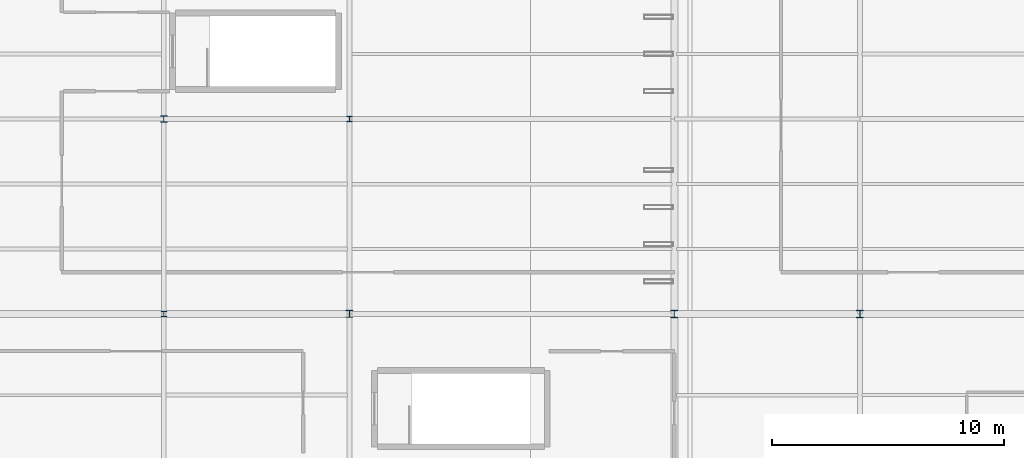
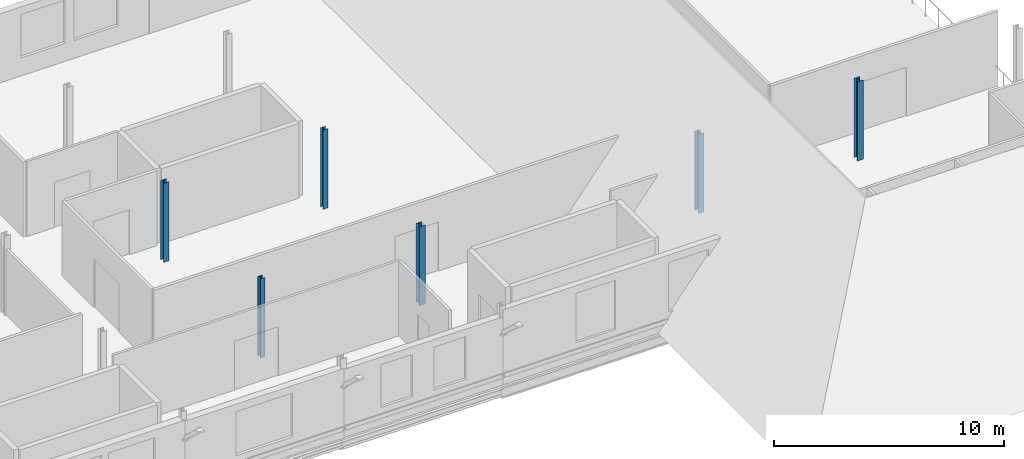
# One storey, part 3 of 93: 6 columns.
"""IFC4 building model written with IfcOpenShell, lengths in metres."""

from ifc_helpers import new_model, si_unit, direction, frame, origin, origin_2d, place, context, subcontext, project, spatial, i_section, extrude, material, material_profile, profile_set, type_object, element, save


model = new_model("IFC4")

# Units and contexts
model_context = context("Model", 3, precision=1e-05, world=origin(), true_north=direction((0.0, 1.0)))
body_context = subcontext(model_context, "Body", "Model", "MODEL_VIEW")
ifc_project = project(units=[si_unit("LENGTHUNIT", "METRE"), si_unit("AREAUNIT", "SQUARE_METRE"), si_unit("VOLUMEUNIT", "CUBIC_METRE"), si_unit("PLANEANGLEUNIT", "RADIAN"), si_unit("MASSUNIT", "GRAM", prefix="KILO")], contexts=[model_context])

# Site, building, storey
site_placement = place(None, origin())
site = spatial("IfcSite", under=ifc_project, at=site_placement, CompositionType="ELEMENT")
building_placement = place(site_placement, origin())
building = spatial("IfcBuilding", under=site, at=building_placement, Name="Vekula Escarpment Museum", CompositionType="ELEMENT")
storey_placement = place(building_placement, frame((0.0, 0.0, 22.199951171875)))
storey = spatial("IfcBuildingStorey", under=building, at=storey_placement, Name="L05", CompositionType="ELEMENT", Elevation=22.199951171875)

# Columns
ifc_material_1 = material(Name="Steel S355", Category="steel")
ifc_material_profile_1 = material_profile(ifc_material_1, i_section(OverallWidth=0.239990234375, OverallDepth=0.22998046875, WebThickness=0.007568359375, FlangeThickness=0.011962890625, FilletRadius=0.02099609375, at=origin_2d()), Name="HEA 240")
ifc_profile_set_1 = profile_set([ifc_material_profile_1], Name="Steel S355")
column_type_1 = type_object("IfcColumnType", Name="COL-S-HEA240", PredefinedType="COLUMN", material=ifc_profile_set_1)
for number, where, z_axis, x_axis, name in (
    (1, (48.0, 59.60009765625, 0.0), (0.0, 0.0, 1.0), (1.0, 0.0, 0.0), "Column L05 (48.0,59.6)"),
    (2, (56.0, 68.0, 0.0), (0.0, 0.0, 1.0), (1.0, 0.0, 0.0), "Column L05 (56.0,68.0)"),
):
    element("IfcColumn", number, at=place(storey_placement, frame(where, z_axis=z_axis, x_axis=x_axis)), inside=storey, type_object=column_type_1, Name=name, PredefinedType="COLUMN", context=body_context, shape_type="SweptSolid", body=[
        extrude(i_section(OverallWidth=0.239990234375, OverallDepth=0.22998046875, WebThickness=0.007568359375, FlangeThickness=0.011962890625, FilletRadius=0.02099609375, at=origin_2d()), origin(), (0.0, 0.0, 1.0), 4.199951171875),
    ])
ifc_material_2 = material(Name="Steel S355", Category="steel")
ifc_material_profile_2 = material_profile(ifc_material_2, i_section(OverallWidth=0.280029296875, OverallDepth=0.27001953125, WebThickness=0.008056640625, FlangeThickness=0.012939453125, FilletRadius=0.02392578125, at=origin_2d()), Name="HEA 280")
ifc_profile_set_2 = profile_set([ifc_material_profile_2], Name="Steel S355")
column_type_2 = type_object("IfcColumnType", Name="COL-S-HEA280", PredefinedType="COLUMN", material=ifc_profile_set_2)
column_1_placement = place(storey_placement, frame((48.0, 68.0, 0.0), z_axis=(0.0, 0.0, 1.0), x_axis=(1.0, 0.0, 0.0)))
element("IfcColumn", 3, at=column_1_placement, inside=storey, type_object=column_type_2, Name="Column L05 (48.0,68.0)", PredefinedType="COLUMN", context=body_context, shape_type="SweptSolid", body=[
    extrude(i_section(OverallWidth=0.280029296875, OverallDepth=0.27001953125, WebThickness=0.008056640625, FlangeThickness=0.012939453125, FilletRadius=0.02392578125, at=origin_2d()), origin(), (0.0, 0.0, 1.0), 4.199951171875),
])
ifc_material_3 = material(Name="Steel S355", Category="steel")
ifc_material_profile_3 = material_profile(ifc_material_3, i_section(OverallWidth=0.300048828125, OverallDepth=0.300048828125, WebThickness=0.010986328125, FlangeThickness=0.01904296875, FilletRadius=0.027099609375, at=origin_2d()), Name="HEB 300")
ifc_profile_set_3 = profile_set([ifc_material_profile_3], Name="Steel S355")
column_type_3 = type_object("IfcColumnType", Name="COL-S-HEB300", PredefinedType="COLUMN", material=ifc_profile_set_3)
column_2_placement = place(storey_placement, frame((56.0, 59.60009765625, 0.0), z_axis=(0.0, 0.0, 1.0), x_axis=(1.0, 0.0, 0.0)))
element("IfcColumn", 4, at=column_2_placement, inside=storey, type_object=column_type_3, Name="Column L05 (56.0,59.6)", PredefinedType="COLUMN", context=body_context, shape_type="SweptSolid", body=[
    extrude(i_section(OverallWidth=0.300048828125, OverallDepth=0.300048828125, WebThickness=0.010986328125, FlangeThickness=0.01904296875, FilletRadius=0.027099609375, at=origin_2d()), origin(), (0.0, 0.0, 1.0), 4.199951171875),
])
ifc_material_4 = material(Name="Steel S355", Category="steel")
ifc_material_profile_4 = material_profile(ifc_material_4, i_section(OverallWidth=0.300048828125, OverallDepth=0.320068359375, WebThickness=0.011474609375, FlangeThickness=0.0205078125, FilletRadius=0.027099609375, at=origin_2d()), Name="HEB 320")
ifc_profile_set_4 = profile_set([ifc_material_profile_4], Name="Steel S355")
column_type_4 = type_object("IfcColumnType", Name="COL-S-HEB320", PredefinedType="COLUMN", material=ifc_profile_set_4)
for number, where, z_axis, x_axis, name in (
    (5, (70.0, 59.60009765625, 0.0), (0.0, 0.0, 1.0), (1.0, 0.0, 0.0), "Column L05 (70.0,59.6)"),
    (6, (78.0, 59.60009765625, 0.0), (0.0, 0.0, 1.0), (1.0, 0.0, 0.0), "Column L05 (78.0,59.6)"),
):
    element("IfcColumn", number, at=place(storey_placement, frame(where, z_axis=z_axis, x_axis=x_axis)), inside=storey, type_object=column_type_4, Name=name, PredefinedType="COLUMN", context=body_context, shape_type="SweptSolid", body=[
        extrude(i_section(OverallWidth=0.300048828125, OverallDepth=0.320068359375, WebThickness=0.011474609375, FlangeThickness=0.0205078125, FilletRadius=0.027099609375, at=origin_2d()), origin(), (0.0, 0.0, 1.0), 4.199951171875),
    ])

save(model, "model.ifc")
